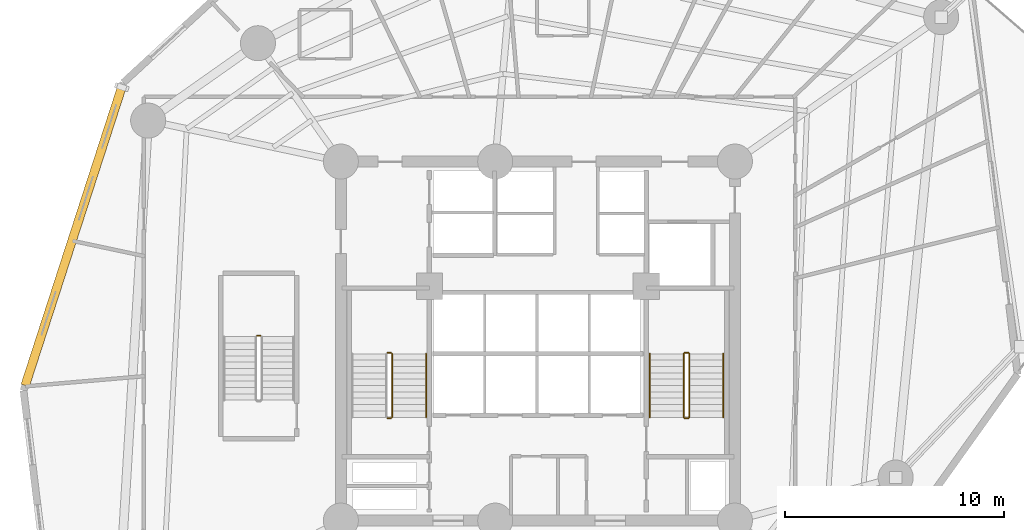
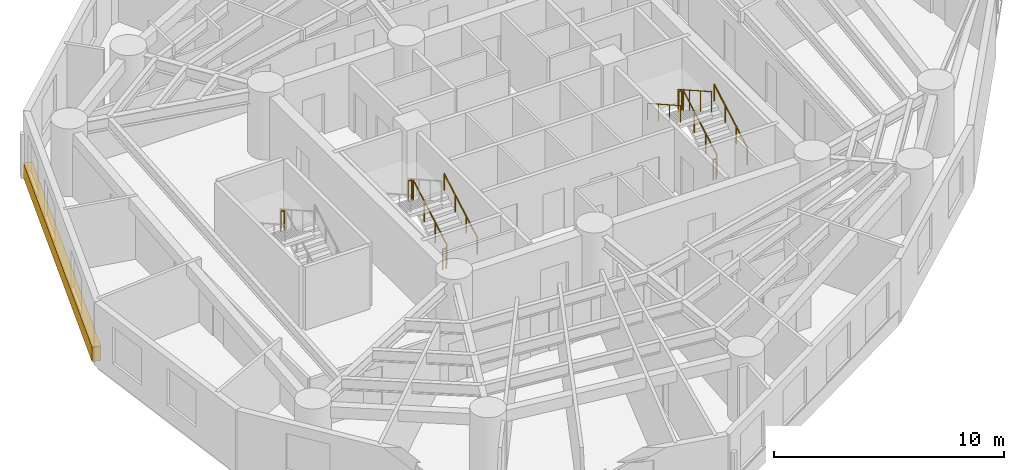
# One storey, part 9 of 10: 11 railings, 1 covering.
"""IFC4 building model written with IfcOpenShell, lengths in metres."""

from ifc_helpers import new_model, si_unit, direction, frame, origin, origin_with_axes, origin_2d, place, context, subcontext, project, spatial, rectangle, circle, extrude, source, transform, mapped, material, layer, layer_set, type_object, element, save


model = new_model("IFC4")

# Units and contexts
model_context = context("Model", 3, precision=1e-05, world=origin(), true_north=direction((0.0, 1.0)))
body_context = subcontext(model_context, "Body", "Model", "MODEL_VIEW")
ifc_project = project(units=[si_unit("LENGTHUNIT", "METRE"), si_unit("AREAUNIT", "SQUARE_METRE"), si_unit("VOLUMEUNIT", "CUBIC_METRE"), si_unit("PLANEANGLEUNIT", "RADIAN"), si_unit("MASSUNIT", "GRAM", prefix="KILO")], contexts=[model_context])

# Site, building, storey
site_placement = place(None, origin())
site = spatial("IfcSite", under=ifc_project, at=site_placement, CompositionType="ELEMENT")
building_placement = place(site_placement, origin())
building = spatial("IfcBuilding", under=site, at=building_placement, Name="Karkom Vertical University and Central Library", CompositionType="ELEMENT")
storey_placement = place(building_placement, frame((0.0, 0.0, 66.10009765625)))
storey = spatial("IfcBuildingStorey", under=building, at=storey_placement, Name="L17", CompositionType="ELEMENT", Elevation=66.10009765625)

# Railings
ifc_material_1 = material(Name="Painted galvanised steel balustrade", Category="steel")
ifc_layer_1 = layer(ifc_material_1, 0.06005859375)
ifc_layer_set_1 = layer_set([ifc_layer_1], Name="Painted galvanised steel balustrade")
railing_type_1 = type_object("IfcRailingType", Name="INT-RL-GUARD1100", PredefinedType="GUARDRAIL", material=ifc_layer_set_1)
railing_1_placement = place(storey_placement, frame((21.840087890625, 23.02001953125, 0.16357421875)))
element("IfcRailing", 1, at=railing_1_placement, inside=storey, type_object=railing_type_1, Name="Level 17 ST-1 stair guard 1", PredefinedType="GUARDRAIL", context=body_context, shape_type="SweptSolid", body=[
    extrude(circle(Radius=0.02392578125, at=origin_2d()), frame((0.0, 0.0, 1.076171875), z_axis=(0.0, 0.870928581787, 0.491409610636), x_axis=(-1.0, 0.0, 0.0)), (0.0, 0.0, 1.0), 3.32958984375),
    extrude(circle(Radius=0.02099609375, at=origin_2d()), origin(), (0.0, 0.0, 1.0), 1.052001953125),
    extrude(circle(Radius=0.02099609375, at=origin_2d()), frame((0.0, 0.966552734375, 0.54541015625)), (0.0, 0.0, 1.0), 1.052001953125),
    extrude(circle(Radius=0.02099609375, at=origin_2d()), frame((0.0, 1.933349609375, 1.0908203125)), (0.0, 0.0, 1.0), 1.052001953125),
    extrude(circle(Radius=0.02099609375, at=origin_2d()), frame((0.0, 2.89990234375, 1.63623046875)), (0.0, 0.0, 1.0), 1.052001953125),
])
for number, where, name in (
    (2, (21.7900390625, 25.969970703125, 1.7998046875), "Level 17 ST-1 stair guard 2"),
    (3, (21.7900390625, 22.969970703125, 0.0), "Level 17 ST-1 stair guard 4"),
):
    element("IfcRailing", number, at=place(storey_placement, frame(where)), inside=storey, type_object=railing_type_1, Name=name, PredefinedType="GUARDRAIL", context=body_context, shape_type="SweptSolid", body=[
        extrude(circle(Radius=0.02392578125, at=origin_2d()), frame((0.0, 0.0, 1.076171875), z_axis=(-1.0, 0.0, 0.0), x_axis=(0.0, -1.0, 0.0)), (0.0, 0.0, 1.0), 0.16015625),
        extrude(circle(Radius=0.02099609375, at=origin_2d()), origin(), (0.0, 0.0, 1.0), 1.052001953125),
        extrude(circle(Radius=0.02099609375, at=origin_2d()), frame((-0.16015625, 0.0, 0.0)), (0.0, 0.0, 1.0), 1.052001953125),
    ])
railing_2_placement = place(storey_placement, frame((35.419921875, 23.02001953125, 0.16357421875)))
element("IfcRailing", 4, at=railing_2_placement, inside=storey, type_object=railing_type_1, Name="Level 17 ST-2 stair guard 1", PredefinedType="GUARDRAIL", context=body_context, shape_type="SweptSolid", body=[
    extrude(circle(Radius=0.02392578125, at=origin_2d()), frame((0.0, 0.0, 1.076171875), z_axis=(0.0, 0.870928581787, 0.491409610636), x_axis=(-1.0, 0.0, 0.0)), (0.0, 0.0, 1.0), 3.32958984375),
    extrude(circle(Radius=0.02099609375, at=origin_2d()), origin(), (0.0, 0.0, 1.0), 1.052001953125),
    extrude(circle(Radius=0.02099609375, at=origin_2d()), frame((0.0, 0.966552734375, 0.54541015625)), (0.0, 0.0, 1.0), 1.052001953125),
    extrude(circle(Radius=0.02099609375, at=origin_2d()), frame((0.0, 1.933349609375, 1.0908203125)), (0.0, 0.0, 1.0), 1.052001953125),
    extrude(circle(Radius=0.02099609375, at=origin_2d()), frame((0.0, 2.89990234375, 1.63623046875)), (0.0, 0.0, 1.0), 1.052001953125),
])
railing_3_placement = place(storey_placement, frame((35.3701171875, 25.969970703125, 1.7998046875)))
element("IfcRailing", 5, at=railing_3_placement, inside=storey, type_object=railing_type_1, Name="Level 17 ST-2 stair guard 2", PredefinedType="GUARDRAIL", context=body_context, shape_type="SweptSolid", body=[
    extrude(circle(Radius=0.02392578125, at=origin_2d()), frame((0.0, 0.0, 1.076171875), z_axis=(-1.0, 0.0, 0.0), x_axis=(0.0, -1.0, 0.0)), (0.0, 0.0, 1.0), 0.16015625),
    extrude(circle(Radius=0.02099609375, at=origin_2d()), origin(), (0.0, 0.0, 1.0), 1.052001953125),
    extrude(circle(Radius=0.02099609375, at=origin_2d()), frame((-0.16015625, 0.0, 0.0)), (0.0, 0.0, 1.0), 1.052001953125),
])
railing_4_placement = place(storey_placement, frame((35.159912109375, 25.919921875, 1.963623046875)))
element("IfcRailing", 6, at=railing_4_placement, inside=storey, type_object=railing_type_1, Name="Level 17 ST-2 stair guard 3", PredefinedType="GUARDRAIL", context=body_context, shape_type="SweptSolid", body=[
    extrude(circle(Radius=0.02392578125, at=origin_2d()), frame((0.0, 0.0, 1.076171875), z_axis=(0.0, -0.870928581787, 0.491409610636), x_axis=(1.0, 0.0, 0.0)), (0.0, 0.0, 1.0), 3.32958984375),
    extrude(circle(Radius=0.02099609375, at=origin_2d()), origin(), (0.0, 0.0, 1.0), 1.052001953125),
    extrude(circle(Radius=0.02099609375, at=origin_2d()), frame((0.0, -0.966552734375, 0.54541015625)), (0.0, 0.0, 1.0), 1.052001953125),
    extrude(circle(Radius=0.02099609375, at=origin_2d()), frame((0.0, -1.933349609375, 1.0908203125)), (0.0, 0.0, 1.0), 1.052001953125),
    extrude(circle(Radius=0.02099609375, at=origin_2d()), frame((0.0, -2.89990234375, 1.63623046875)), (0.0, 0.0, 1.0), 1.052001953125),
])
for number, where, name in (
    (7, (35.3701171875, 22.969970703125, 0.0), "Level 17 ST-2 stair guard 4"),
    (8, (15.830078125, 26.75, 1.7998046875), "Level 17 ST-3 stair guard 2"),
):
    element("IfcRailing", number, at=place(storey_placement, frame(where)), inside=storey, type_object=railing_type_1, Name=name, PredefinedType="GUARDRAIL", context=body_context, shape_type="SweptSolid", body=[
        extrude(circle(Radius=0.02392578125, at=origin_2d()), frame((0.0, 0.0, 1.076171875), z_axis=(-1.0, 0.0, 0.0), x_axis=(0.0, -1.0, 0.0)), (0.0, 0.0, 1.0), 0.16015625),
        extrude(circle(Radius=0.02099609375, at=origin_2d()), origin(), (0.0, 0.0, 1.0), 1.052001953125),
        extrude(circle(Radius=0.02099609375, at=origin_2d()), frame((-0.16015625, 0.0, 0.0)), (0.0, 0.0, 1.0), 1.052001953125),
    ])
ifc_material_2 = material(Name="Brushed stainless-steel tubular handrail", Category="steel")
ifc_layer_2 = layer(ifc_material_2, 0.048095703125)
ifc_layer_set_2 = layer_set([ifc_layer_2], Name="Brushed stainless-steel tubular handrail")
railing_type_2 = type_object("IfcRailingType", Name="INT-RL-HAND920", PredefinedType="HANDRAIL", material=ifc_layer_set_2)
for number, where, name in (
    (9, (23.389892578125, 23.02001953125, 0.16357421875), "Level 17 ST-1 stair handrail 1"),
    (10, (36.969970703125, 23.02001953125, 0.16357421875), "Level 17 ST-2 stair handrail 1"),
):
    element("IfcRailing", number, at=place(storey_placement, frame(where)), inside=storey, type_object=railing_type_2, Name=name, PredefinedType="HANDRAIL", context=body_context, shape_type="SweptSolid", body=[
        extrude(circle(Radius=0.02392578125, at=origin_2d()), frame((0.0, 0.0, 0.8759765625), z_axis=(0.0, 0.870928581787, 0.491409610636), x_axis=(-1.0, 0.0, 0.0)), (0.0, 0.0, 1.0), 3.32958984375),
        extrude(circle(Radius=0.02099609375, at=origin_2d()), origin(), (0.0, 0.0, 1.0), 0.851806640625),
        extrude(circle(Radius=0.02099609375, at=origin_2d()), frame((0.0, 0.966552734375, 0.54541015625)), (0.0, 0.0, 1.0), 0.851806640625),
        extrude(circle(Radius=0.02099609375, at=origin_2d()), frame((0.0, 1.933349609375, 1.0908203125)), (0.0, 0.0, 1.0), 0.851806640625),
        extrude(circle(Radius=0.02099609375, at=origin_2d()), frame((0.0, 2.89990234375, 1.63623046875)), (0.0, 0.0, 1.0), 0.851806640625),
    ])
railing_5_placement = place(storey_placement, frame((33.610107421875, 25.919921875, 1.963623046875)))
element("IfcRailing", 11, at=railing_5_placement, inside=storey, type_object=railing_type_2, Name="Level 17 ST-2 stair handrail 2", PredefinedType="HANDRAIL", context=body_context, shape_type="SweptSolid", body=[
    extrude(circle(Radius=0.02392578125, at=origin_2d()), frame((0.0, 0.0, 0.8759765625), z_axis=(0.0, -0.870928581787, 0.491409610636), x_axis=(1.0, 0.0, 0.0)), (0.0, 0.0, 1.0), 3.32958984375),
    extrude(circle(Radius=0.02099609375, at=origin_2d()), origin(), (0.0, 0.0, 1.0), 0.851806640625),
    extrude(circle(Radius=0.02099609375, at=origin_2d()), frame((0.0, -0.966552734375, 0.54541015625)), (0.0, 0.0, 1.0), 0.851806640625),
    extrude(circle(Radius=0.02099609375, at=origin_2d()), frame((0.0, -1.933349609375, 1.0908203125)), (0.0, 0.0, 1.0), 0.851806640625),
    extrude(circle(Radius=0.02099609375, at=origin_2d()), frame((0.0, -2.89990234375, 1.63623046875)), (0.0, 0.0, 1.0), 0.851806640625),
])

# Covering
ifc_material_3 = material(Name="Hand-pressed red-ochre terracotta brick slip cladding", Category="masonry")
ifc_layer_3 = layer(ifc_material_3, 0.090087890625)
ifc_layer_set_3 = layer_set([ifc_layer_3], Name="Hand-pressed red-ochre terracotta brick slip cladding")
covering_type = type_object("IfcCoveringType", Name="ENV-COV-CLAD", PredefinedType="CLADDING", material=ifc_layer_set_3)
shared_shape = source(origin_with_axes(), body_context, "Body", "SweptSolid", [
    extrude(rectangle(XDim=14.291015625, YDim=0.39990234375, at=origin_2d()), origin(), (0.0, 0.0, 1.0), 0.780029296875),
])
covering_placement = place(storey_placement, frame((7.28076171875, 31.27001953125, 0.0), z_axis=(0.0, 0.0, 1.0), x_axis=(-0.308020881065, -0.951379596601, 0.0)))
element("IfcCovering", 12, at=covering_placement, inside=storey, type_object=covering_type, Name="Level 17 Terracotta Spandrel Cladding 01", PredefinedType="CLADDING", context=body_context, shape_type="MappedRepresentation", body=[
    mapped(shared_shape, transform((0.0, 0.0, 0.0), scale=1.0)),
])

save(model, "model.ifc")
